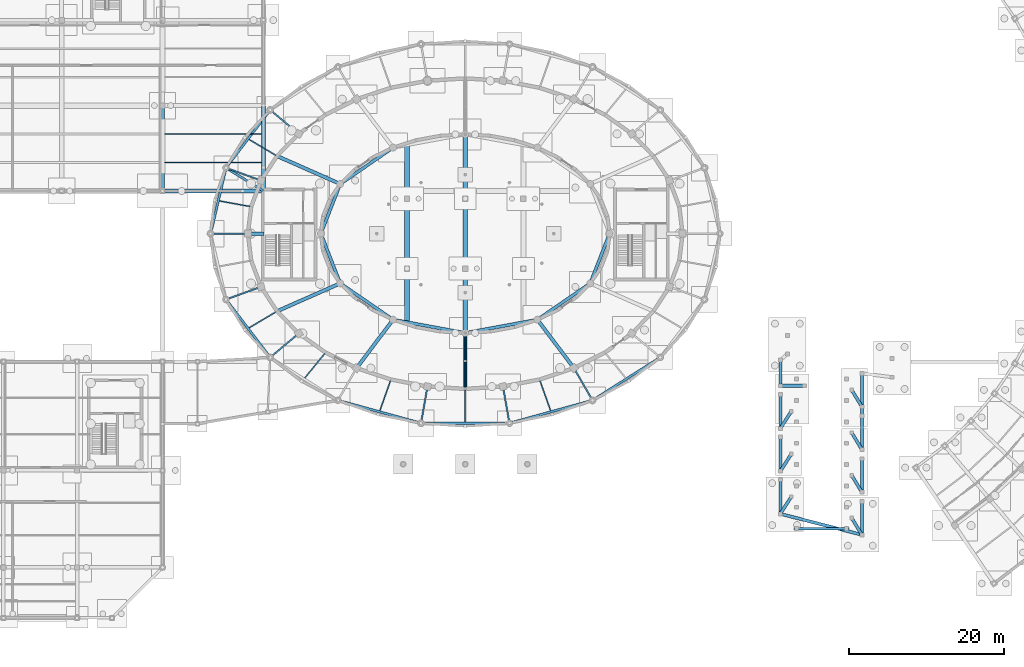
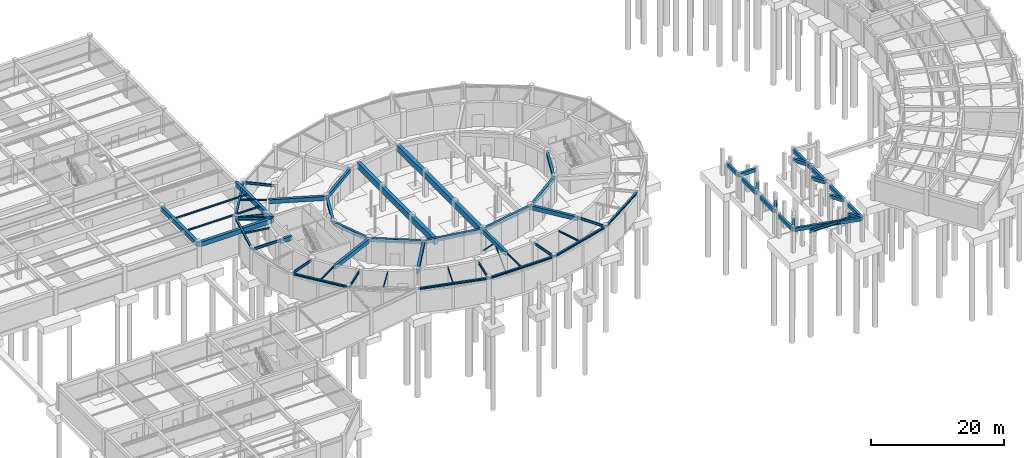
# One storey, part 13 of 42: 63 beams, 2 members.
"""IFC4 building model written with IfcOpenShell, lengths in metres."""

from ifc_helpers import new_model, si_unit, direction, frame, origin, origin_2d, place, context, subcontext, project, spatial, rectangle, hollow_circle, i_section, extrude, material, material_profile, profile_set, type_object, element, save


model = new_model("IFC4")

# Units and contexts
model_context = context("Model", 3, precision=1e-05, world=origin(), true_north=direction((0.0, 1.0)))
body_context = subcontext(model_context, "Body", "Model", "MODEL_VIEW")
ifc_project = project(units=[si_unit("LENGTHUNIT", "METRE"), si_unit("AREAUNIT", "SQUARE_METRE"), si_unit("VOLUMEUNIT", "CUBIC_METRE"), si_unit("PLANEANGLEUNIT", "RADIAN"), si_unit("MASSUNIT", "GRAM", prefix="KILO")], contexts=[model_context])

# Site, building, storey
site_placement = place(None, origin())
site = spatial("IfcSite", under=ifc_project, at=site_placement, CompositionType="ELEMENT")
building_placement = place(site_placement, origin())
building = spatial("IfcBuilding", under=site, at=building_placement, Name="Tarnveldt Headland Concert Hall", CompositionType="ELEMENT")
storey_placement = place(building_placement, frame((0.0, 0.0, -4.800048828125)))
storey = spatial("IfcBuildingStorey", under=building, at=storey_placement, Name="B1", CompositionType="ELEMENT", Elevation=-4.800048828125)

# Members
ifc_material_1 = material(Name="Steel S355", Category="steel")
ifc_material_profile_1 = material_profile(ifc_material_1, hollow_circle(Radius=0.109619140625, WallThickness=0.012451171875, at=origin_2d()), Name="CHS 219.1x12.5", Category="steel")
ifc_profile_set_1 = profile_set([ifc_material_profile_1], Name="Steel S355")
member_type = type_object("IfcMemberType", Name="BR-CHS219", PredefinedType="BRACE", material=ifc_profile_set_1)
member_1_placement = place(storey_placement, frame((83.5, 41.699951171875, 0.300048828125), z_axis=(0.0, -0.702208523079, 0.711971340796), x_axis=(1.0, 0.0, 0.0)))
element("IfcMember", 1, at=member_1_placement, inside=storey, type_object=member_type, Name="Acoustic drum chevron brace B1-6A", PredefinedType="BRACE", context=body_context, shape_type="SweptSolid", body=[
    extrude(hollow_circle(Radius=0.109619140625, WallThickness=0.012451171875, at=origin_2d()), origin(), (0.0, 0.0, 1.0), 5.12646484375),
])
member_2_placement = place(storey_placement, frame((83.5, 34.5, 0.300048828125), z_axis=(0.0, 0.702232662373, 0.711947531702), x_axis=(-1.0, 0.0, 0.0)))
element("IfcMember", 2, at=member_2_placement, inside=storey, type_object=member_type, Name="Acoustic drum chevron brace B1-6B", PredefinedType="BRACE", context=body_context, shape_type="SweptSolid", body=[
    extrude(hollow_circle(Radius=0.109619140625, WallThickness=0.012451171875, at=origin_2d()), origin(), (0.0, 0.0, 1.0), 5.126708984375),
])

# Beams
ifc_material_2 = material(Name="Concrete C40/50", Category="concrete")
ifc_material_profile_2 = material_profile(ifc_material_2, rectangle(XDim=0.39990234375, YDim=0.64990234375, at=origin_2d()), Name="RC 400x650", Category="concrete")
ifc_profile_set_2 = profile_set([ifc_material_profile_2], Name="Concrete C40/50")
beam_type_1 = type_object("IfcBeamType", Name="CB-400x650", PredefinedType="BEAM", material=ifc_profile_set_2)
beam_1_placement = place(storey_placement, frame((74.150634765625, 65.551025390625, 4.175048828125), z_axis=(-0.823792567818, -0.566891352207, 0.0), x_axis=(0.566891352207, -0.823792567818, 0.0)))
element("IfcBeam", 3, at=beam_1_placement, inside=storey, type_object=beam_type_1, Name="Framing beam B1-64", PredefinedType="BEAM", context=body_context, shape_type="SweptSolid", body=[
    extrude(rectangle(XDim=0.39990234375, YDim=0.64990234375, at=origin_2d()), origin(), (0.0, 0.0, 1.0), 8.144287109375),
])
for number, where, z_axis, x_axis, name in (
    (4, (67.3701171875, 60.843994140625, 4.175048828125), (-0.362816377746, -0.931860652694, 0.0), (0.931860652694, -0.362816377746, 0.0), "Framing beam B1-66"),
    (5, (64.921875, 54.444091796875, 4.175048828125), (0.362816377746, -0.931860652694, 0.0), (0.931860652694, 0.362816377746, 0.0), "Framing beam B1-68"),
):
    element("IfcBeam", number, at=place(storey_placement, frame(where, z_axis=z_axis, x_axis=x_axis)), inside=storey, type_object=beam_type_1, Name=name, PredefinedType="BEAM", context=body_context, shape_type="SweptSolid", body=[
        extrude(rectangle(XDim=0.39990234375, YDim=0.64990234375, at=origin_2d()), origin(), (0.0, 0.0, 1.0), 6.747802734375),
    ])
beam_2_placement = place(storey_placement, frame((67.44140625, 48.06591796875, 4.175048828125), z_axis=(0.823792567818, -0.566891352207, 0.0), x_axis=(0.566891352207, 0.823792567818, 0.0)))
element("IfcBeam", 6, at=beam_2_placement, inside=storey, type_object=beam_type_1, Name="Framing beam B1-70", PredefinedType="BEAM", context=body_context, shape_type="SweptSolid", body=[
    extrude(rectangle(XDim=0.39990234375, YDim=0.64990234375, at=origin_2d()), origin(), (0.0, 0.0, 1.0), 8.144287109375),
])
for number, where, z_axis, x_axis, name in (
    (7, (74.259033203125, 43.404052734375, 4.175048828125), (0.983420438696, -0.181340124501, 0.0), (0.181340124501, 0.983420438696, 0.0), "Framing beam B1-72"),
    (8, (83.55908203125, 41.7109375, 4.175048828125), (0.983420438696, 0.181340124501, 0.0), (-0.181340124501, 0.983420438696, 0.0), "Framing beam B1-74"),
):
    element("IfcBeam", number, at=place(storey_placement, frame(where, z_axis=z_axis, x_axis=x_axis)), inside=storey, type_object=beam_type_1, Name=name, PredefinedType="BEAM", context=body_context, shape_type="SweptSolid", body=[
        extrude(rectangle(XDim=0.39990234375, YDim=0.64990234375, at=origin_2d()), origin(), (0.0, 0.0, 1.0), 9.336669921875),
    ])
beam_3_placement = place(storey_placement, frame((92.849365234375, 43.448974609375, 4.175048828125), z_axis=(0.823792567818, 0.566891352207, 0.0), x_axis=(-0.566891352207, 0.823792567818, 0.0)))
element("IfcBeam", 9, at=beam_3_placement, inside=storey, type_object=beam_type_1, Name="Framing beam B1-76", PredefinedType="BEAM", context=body_context, shape_type="SweptSolid", body=[
    extrude(rectangle(XDim=0.39990234375, YDim=0.64990234375, at=origin_2d()), origin(), (0.0, 0.0, 1.0), 8.144287109375),
])
beam_4_placement = place(storey_placement, frame((99.6298828125, 48.156005859375, 4.175048828125), z_axis=(0.362816377746, 0.931860652694, 0.0), x_axis=(-0.931860652694, 0.362816377746, 0.0)))
element("IfcBeam", 10, at=beam_4_placement, inside=storey, type_object=beam_type_1, Name="Framing beam B1-78", PredefinedType="BEAM", context=body_context, shape_type="SweptSolid", body=[
    extrude(rectangle(XDim=0.39990234375, YDim=0.64990234375, at=origin_2d()), origin(), (0.0, 0.0, 1.0), 6.747802734375),
])
for number, where, z_axis, x_axis, name in (
    (11, (124.10009765625, 18.43994140625, 4.175048828125), (0.0, 1.0, 0.0), (-1.0, 0.0, 0.0), "Framing beam B1-1428"),
    (12, (124.10009765625, 23.93994140625, 4.175048828125), (0.0, 1.0, 0.0), (-1.0, 0.0, 0.0), "Framing beam B1-1429"),
    (13, (124.10009765625, 29.43994140625, 4.175048828125), (0.0, 1.0, 0.0), (-1.0, 0.0, 0.0), "Framing beam B1-1430"),
):
    element("IfcBeam", number, at=place(storey_placement, frame(where, z_axis=z_axis, x_axis=x_axis)), inside=storey, type_object=beam_type_1, Name=name, PredefinedType="BEAM", context=body_context, shape_type="SweptSolid", body=[
        extrude(rectangle(XDim=0.39990234375, YDim=0.64990234375, at=origin_2d()), origin(), (0.0, 0.0, 1.0), 4.320068359375),
    ])
beam_5_placement = place(storey_placement, frame((124.10009765625, 34.93994140625, 4.175048828125), z_axis=(0.0, 1.0, 0.0), x_axis=(-1.0, 0.0, 0.0)))
element("IfcBeam", 14, at=beam_5_placement, inside=storey, type_object=beam_type_1, Name="Framing beam B1-1431", PredefinedType="BEAM", context=body_context, shape_type="SweptSolid", body=[
    extrude(rectangle(XDim=0.39990234375, YDim=0.64990234375, at=origin_2d()), origin(), (0.0, 0.0, 1.0), 3.219970703125),
])
for number, where, z_axis, x_axis, name in (
    (15, (134.60009765625, 15.739990234375, 4.175048828125), (0.0, 1.0, 0.0), (-1.0, 0.0, 0.0), "Framing beam B1-1433"),
    (16, (134.60009765625, 21.239990234375, 4.175048828125), (0.0, 1.0, 0.0), (-1.0, 0.0, 0.0), "Framing beam B1-1434"),
    (17, (134.60009765625, 26.739990234375, 4.175048828125), (0.0, 1.0, 0.0), (-1.0, 0.0, 0.0), "Framing beam B1-1435"),
):
    element("IfcBeam", number, at=place(storey_placement, frame(where, z_axis=z_axis, x_axis=x_axis)), inside=storey, type_object=beam_type_1, Name=name, PredefinedType="BEAM", context=body_context, shape_type="SweptSolid", body=[
        extrude(rectangle(XDim=0.39990234375, YDim=0.64990234375, at=origin_2d()), origin(), (0.0, 0.0, 1.0), 4.219970703125),
    ])
beam_6_placement = place(storey_placement, frame((134.60009765625, 31.0400390625, 4.175048828125), z_axis=(0.0, 1.0, 0.0), x_axis=(-1.0, 0.0, 0.0)))
element("IfcBeam", 18, at=beam_6_placement, inside=storey, type_object=beam_type_1, Name="Framing beam B1-1436", PredefinedType="BEAM", context=body_context, shape_type="SweptSolid", body=[
    extrude(rectangle(XDim=0.39990234375, YDim=0.64990234375, at=origin_2d()), origin(), (0.0, 0.0, 1.0), 1.119873046875),
])
beam_7_placement = place(storey_placement, frame((134.60009765625, 32.239990234375, 4.175048828125), z_axis=(0.0, 1.0, 0.0), x_axis=(-1.0, 0.0, 0.0)))
element("IfcBeam", 19, at=beam_7_placement, inside=storey, type_object=beam_type_1, Name="Framing beam B1-1437", PredefinedType="BEAM", context=body_context, shape_type="SweptSolid", body=[
    extrude(rectangle(XDim=0.39990234375, YDim=0.64990234375, at=origin_2d()), origin(), (0.0, 0.0, 1.0), 4.219970703125),
])
beam_8_placement = place(storey_placement, frame((134.579345703125, 15.734130859375, 4.175048828125), z_axis=(-0.517356100723, 0.855770217433, 0.0), x_axis=(-0.855770217433, -0.517356100723, 0.0)))
element("IfcBeam", 20, at=beam_8_placement, inside=storey, type_object=beam_type_1, Name="Framing beam B1-1439", PredefinedType="BEAM", context=body_context, shape_type="SweptSolid", body=[
    extrude(rectangle(XDim=0.39990234375, YDim=0.64990234375, at=origin_2d()), origin(), (0.0, 0.0, 1.0), 2.4326171875),
])
beam_9_placement = place(storey_placement, frame((124.12158203125, 18.43359375, 4.175048828125), z_axis=(0.536787999782, 0.843717158348, 0.0), x_axis=(-0.843717158348, 0.536787999782, 0.0)))
element("IfcBeam", 21, at=beam_9_placement, inside=storey, type_object=beam_type_1, Name="Framing beam B1-1440", PredefinedType="BEAM", context=body_context, shape_type="SweptSolid", body=[
    extrude(rectangle(XDim=0.39990234375, YDim=0.64990234375, at=origin_2d()), origin(), (0.0, 0.0, 1.0), 2.52783203125),
])
beam_10_placement = place(storey_placement, frame((134.579345703125, 21.234130859375, 4.175048828125), z_axis=(-0.517356100723, 0.855770217433, 0.0), x_axis=(-0.855770217433, -0.517356100723, 0.0)))
element("IfcBeam", 22, at=beam_10_placement, inside=storey, type_object=beam_type_1, Name="Framing beam B1-1441", PredefinedType="BEAM", context=body_context, shape_type="SweptSolid", body=[
    extrude(rectangle(XDim=0.39990234375, YDim=0.64990234375, at=origin_2d()), origin(), (0.0, 0.0, 1.0), 2.4326171875),
])
beam_11_placement = place(storey_placement, frame((124.12158203125, 23.93359375, 4.175048828125), z_axis=(0.536787999782, 0.843717158348, 0.0), x_axis=(-0.843717158348, 0.536787999782, 0.0)))
element("IfcBeam", 23, at=beam_11_placement, inside=storey, type_object=beam_type_1, Name="Framing beam B1-1442", PredefinedType="BEAM", context=body_context, shape_type="SweptSolid", body=[
    extrude(rectangle(XDim=0.39990234375, YDim=0.64990234375, at=origin_2d()), origin(), (0.0, 0.0, 1.0), 2.52783203125),
])
beam_12_placement = place(storey_placement, frame((134.579345703125, 26.734130859375, 4.175048828125), z_axis=(-0.517356100723, 0.855770217433, 0.0), x_axis=(-0.855770217433, -0.517356100723, 0.0)))
element("IfcBeam", 24, at=beam_12_placement, inside=storey, type_object=beam_type_1, Name="Framing beam B1-1443", PredefinedType="BEAM", context=body_context, shape_type="SweptSolid", body=[
    extrude(rectangle(XDim=0.39990234375, YDim=0.64990234375, at=origin_2d()), origin(), (0.0, 0.0, 1.0), 2.4326171875),
])
beam_13_placement = place(storey_placement, frame((124.12158203125, 29.43359375, 4.175048828125), z_axis=(0.536787999782, 0.843717158348, 0.0), x_axis=(-0.843717158348, 0.536787999782, 0.0)))
element("IfcBeam", 25, at=beam_13_placement, inside=storey, type_object=beam_type_1, Name="Framing beam B1-1444", PredefinedType="BEAM", context=body_context, shape_type="SweptSolid", body=[
    extrude(rectangle(XDim=0.39990234375, YDim=0.64990234375, at=origin_2d()), origin(), (0.0, 0.0, 1.0), 2.52783203125),
])
beam_14_placement = place(storey_placement, frame((134.579345703125, 32.234130859375, 4.175048828125), z_axis=(-0.517356100723, 0.855770217433, 0.0), x_axis=(-0.855770217433, -0.517356100723, 0.0)))
element("IfcBeam", 26, at=beam_14_placement, inside=storey, type_object=beam_type_1, Name="Framing beam B1-1445", PredefinedType="BEAM", context=body_context, shape_type="SweptSolid", body=[
    extrude(rectangle(XDim=0.39990234375, YDim=0.64990234375, at=origin_2d()), origin(), (0.0, 0.0, 1.0), 2.4326171875),
])
beam_15_placement = place(storey_placement, frame((124.139892578125, 34.89990234375, 4.175048828125), z_axis=(1.0, 0.0, 0.0), x_axis=(0.0, 1.0, 0.0)))
element("IfcBeam", 27, at=beam_15_placement, inside=storey, type_object=beam_type_1, Name="Framing beam B1-1446", PredefinedType="BEAM", context=body_context, shape_type="SweptSolid", body=[
    extrude(rectangle(XDim=0.39990234375, YDim=0.64990234375, at=origin_2d()), origin(), (0.0, 0.0, 1.0), 3.02001953125),
])
beam_16_placement = place(storey_placement, frame((124.138671875, 18.389892578125, 4.175048828125), z_axis=(0.968496684569, -0.24902644835, 0.0), x_axis=(0.24902644835, 0.968496684569, 0.0)))
element("IfcBeam", 28, at=beam_16_placement, inside=storey, type_object=beam_type_1, Name="Framing beam B1-1447", PredefinedType="BEAM", context=body_context, shape_type="SweptSolid", body=[
    extrude(rectangle(XDim=0.39990234375, YDim=0.64990234375, at=origin_2d()), origin(), (0.0, 0.0, 1.0), 10.76171875),
])
ifc_material_profile_3 = material_profile(ifc_material_2, rectangle(XDim=0.449951171875, YDim=0.75, at=origin_2d()), Name="RC 450x750", Category="concrete")
ifc_profile_set_3 = profile_set([ifc_material_profile_3], Name="Concrete C40/50")
beam_type_2 = type_object("IfcBeamType", Name="CB-450x750", PredefinedType="BEAM", material=ifc_profile_set_3)
beam_17_placement = place(storey_placement, frame((67.355224609375, 60.916259765625, 4.125), z_axis=(-0.91456211397, 0.404445471839, 0.0), x_axis=(-0.404445471839, -0.91456211397, 0.0)))
element("IfcBeam", 29, at=beam_17_placement, inside=storey, type_object=beam_type_2, Name="Framing beam B1-65", PredefinedType="BEAM", context=body_context, shape_type="SweptSolid", body=[
    extrude(rectangle(XDim=0.449951171875, YDim=0.75, at=origin_2d()), origin(), (0.0, 0.0, 1.0), 8.821044921875),
])
beam_18_placement = place(storey_placement, frame((57.580078125, 54.5, 4.125), z_axis=(-1.0, 0.0, 0.0), x_axis=(0.0, -1.0, 0.0)))
element("IfcBeam", 30, at=beam_18_placement, inside=storey, type_object=beam_type_2, Name="Framing beam B1-67", PredefinedType="BEAM", context=body_context, shape_type="SweptSolid", body=[
    extrude(rectangle(XDim=0.449951171875, YDim=0.75, at=origin_2d()), origin(), (0.0, 0.0, 1.0), 2.0400390625),
])
beam_19_placement = place(storey_placement, frame((67.355224609375, 48.083740234375, 4.125), z_axis=(-0.91456211397, -0.404445471839, 0.0), x_axis=(0.404445471839, -0.91456211397, 0.0)))
element("IfcBeam", 31, at=beam_19_placement, inside=storey, type_object=beam_type_2, Name="Framing beam B1-69", PredefinedType="BEAM", context=body_context, shape_type="SweptSolid", body=[
    extrude(rectangle(XDim=0.449951171875, YDim=0.75, at=origin_2d()), origin(), (0.0, 0.0, 1.0), 8.821044921875),
])
beam_20_placement = place(storey_placement, frame((74.17578125, 43.383056640625, 4.125), z_axis=(-0.601893745781, -0.798576182208, 0.0), x_axis=(0.798576182208, -0.601893745781, 0.0)))
element("IfcBeam", 32, at=beam_20_placement, inside=storey, type_object=beam_type_2, Name="Framing beam B1-71", PredefinedType="BEAM", context=body_context, shape_type="SweptSolid", body=[
    extrude(rectangle(XDim=0.449951171875, YDim=0.75, at=origin_2d()), origin(), (0.0, 0.0, 1.0), 7.728271484375),
])
beam_21_placement = place(storey_placement, frame((83.5, 41.659912109375, 4.125), z_axis=(0.0, -1.0, 0.0), x_axis=(1.0, 0.0, 0.0)))
element("IfcBeam", 33, at=beam_21_placement, inside=storey, type_object=beam_type_2, Name="Framing beam B1-73", PredefinedType="BEAM", context=body_context, shape_type="SweptSolid", body=[
    extrude(rectangle(XDim=0.449951171875, YDim=0.75, at=origin_2d()), origin(), (0.0, 0.0, 1.0), 7.119873046875),
])
beam_22_placement = place(storey_placement, frame((92.82421875, 43.383056640625, 4.125), z_axis=(0.601893745781, -0.798576182208, 0.0), x_axis=(0.798576182208, 0.601893745781, 0.0)))
element("IfcBeam", 34, at=beam_22_placement, inside=storey, type_object=beam_type_2, Name="Framing beam B1-75", PredefinedType="BEAM", context=body_context, shape_type="SweptSolid", body=[
    extrude(rectangle(XDim=0.449951171875, YDim=0.75, at=origin_2d()), origin(), (0.0, 0.0, 1.0), 7.728271484375),
])
ifc_material_profile_4 = material_profile(ifc_material_2, rectangle(XDim=0.5, YDim=0.85009765625, at=origin_2d()), Name="RC 500x850", Category="concrete")
ifc_profile_set_4 = profile_set([ifc_material_profile_4], Name="Concrete C40/50")
beam_type_3 = type_object("IfcBeamType", Name="CB-500x850", PredefinedType="BEAM", material=ifc_profile_set_4)
beam_23_placement = place(storey_placement, frame((44.56005859375, 60.0, 4.074951171875), z_axis=(1.0, 0.0, 0.0), x_axis=(0.0, 1.0, 0.0)))
element("IfcBeam", 35, at=beam_23_placement, inside=storey, type_object=beam_type_3, Name="Framing beam B1-272", PredefinedType="BEAM", context=body_context, shape_type="SweptSolid", body=[
    extrude(rectangle(XDim=0.5, YDim=0.85009765625, at=origin_2d()), origin(), (0.0, 0.0, 1.0), 12.8798828125),
])
for number, where, z_axis, x_axis, name in (
    (36, (44.5, 60.06005859375, 4.074951171875), (0.0, 1.0, 0.0), (-1.0, 0.0, 0.0), "Framing beam B1-326"),
    (37, (57.5, 60.06005859375, 4.074951171875), (0.0, 1.0, 0.0), (-1.0, 0.0, 0.0), "Framing beam B1-341"),
):
    element("IfcBeam", number, at=place(storey_placement, frame(where, z_axis=z_axis, x_axis=x_axis)), inside=storey, type_object=beam_type_3, Name=name, PredefinedType="BEAM", context=body_context, shape_type="SweptSolid", body=[
        extrude(rectangle(XDim=0.5, YDim=0.85009765625, at=origin_2d()), origin(), (0.0, 0.0, 1.0), 10.8798828125),
    ])
ifc_material_profile_5 = material_profile(ifc_material_2, rectangle(XDim=0.60009765625, YDim=1.10009765625, at=origin_2d()), Name="RC 600x1100", Category="concrete")
ifc_profile_set_5 = profile_set([ifc_material_profile_5], Name="Concrete C40/50")
beam_type_4 = type_object("IfcBeamType", Name="CB-600x1100", PredefinedType="BEAM", material=ifc_profile_set_5)
beam_24_placement = place(storey_placement, frame((76.0, 42.806640625, 3.949951171875), z_axis=(0.0, 1.0, 0.0), x_axis=(-1.0, 0.0, 0.0)))
element("IfcBeam", 38, at=beam_24_placement, inside=storey, type_object=beam_type_4, Name="Framing beam B1-79", PredefinedType="BEAM", context=body_context, shape_type="SweptSolid", body=[
    extrude(rectangle(XDim=0.60009765625, YDim=1.10009765625, at=origin_2d()), origin(), (0.0, 0.0, 1.0), 23.38671875),
])
beam_25_placement = place(storey_placement, frame((83.5, 41.719970703125, 3.949951171875), z_axis=(0.0, 1.0, 0.0), x_axis=(-1.0, 0.0, 0.0)))
element("IfcBeam", 39, at=beam_25_placement, inside=storey, type_object=beam_type_4, Name="Framing beam B1-80", PredefinedType="BEAM", context=body_context, shape_type="SweptSolid", body=[
    extrude(rectangle(XDim=0.60009765625, YDim=1.10009765625, at=origin_2d()), origin(), (0.0, 0.0, 1.0), 25.56005859375),
])
ifc_material_profile_6 = material_profile(ifc_material_1, i_section(OverallWidth=0.300048828125, OverallDepth=0.35009765625, WebThickness=0.010009765625, FlangeThickness=0.017578125, FilletRadius=0.027099609375, at=origin_2d()), Name="HEA360", Category="steel")
ifc_profile_set_6 = profile_set([ifc_material_profile_6], Name="Steel S355")
beam_type_5 = type_object("IfcBeamType", Name="SB-HEA360", PredefinedType="SPANDREL", material=ifc_profile_set_6)
beam_26_placement = place(storey_placement, frame((58.33740234375, 70.393310546875, 4.324951171875), z_axis=(-0.606896353007, -0.794780986629, 0.0), x_axis=(0.794780986629, -0.606896353007, 0.0)))
element("IfcBeam", 40, at=beam_26_placement, inside=storey, type_object=beam_type_5, Name="Framing beam B1-22", PredefinedType="SPANDREL", context=body_context, shape_type="SweptSolid", body=[
    extrude(i_section(OverallWidth=0.300048828125, OverallDepth=0.35009765625, WebThickness=0.010009765625, FlangeThickness=0.017578125, FilletRadius=0.027099609375, at=origin_2d()), origin(), (0.0, 0.0, 1.0), 9.264892578125),
])
beam_27_placement = place(storey_placement, frame((52.66455078125, 62.923583984375, 4.324951171875), z_axis=(-0.227123591729, -0.973865942561, 0.0), x_axis=(0.973865942561, -0.227123591729, 0.0)))
element("IfcBeam", 41, at=beam_27_placement, inside=storey, type_object=beam_type_5, Name="Framing beam B1-25", PredefinedType="SPANDREL", context=body_context, shape_type="SweptSolid", body=[
    extrude(i_section(OverallWidth=0.300048828125, OverallDepth=0.35009765625, WebThickness=0.010009765625, FlangeThickness=0.017578125, FilletRadius=0.027099609375, at=origin_2d()), origin(), (0.0, 0.0, 1.0), 8.589599609375),
])
beam_28_placement = place(storey_placement, frame((52.714599609375, 45.97021484375, 4.324951171875), z_axis=(0.606896353007, -0.794780986629, 0.0), x_axis=(0.794780986629, 0.606896353007, 0.0)))
element("IfcBeam", 42, at=beam_28_placement, inside=storey, type_object=beam_type_5, Name="Framing beam B1-31", PredefinedType="SPANDREL", context=body_context, shape_type="SweptSolid", body=[
    extrude(i_section(OverallWidth=0.300048828125, OverallDepth=0.35009765625, WebThickness=0.010009765625, FlangeThickness=0.017578125, FilletRadius=0.027099609375, at=origin_2d()), origin(), (0.0, 0.0, 1.0), 9.264892578125),
])
beam_29_placement = place(storey_placement, frame((67.15771484375, 33.006591796875, 4.324951171875), z_axis=(0.964161617091, -0.265315616065, 0.0), x_axis=(0.265315616065, 0.964161617091, 0.0)))
element("IfcBeam", 43, at=beam_29_placement, inside=storey, type_object=beam_type_5, Name="Framing beam B1-37", PredefinedType="SPANDREL", context=body_context, shape_type="SweptSolid", body=[
    extrude(i_section(OverallWidth=0.300048828125, OverallDepth=0.35009765625, WebThickness=0.010009765625, FlangeThickness=0.017578125, FilletRadius=0.027099609375, at=origin_2d()), origin(), (0.0, 0.0, 1.0), 10.982421875),
])
beam_30_placement = place(storey_placement, frame((77.8642578125, 30.076904296875, 4.324951171875), z_axis=(1.0, 0.0, 0.0), x_axis=(0.0, 1.0, 0.0)))
element("IfcBeam", 44, at=beam_30_placement, inside=storey, type_object=beam_type_5, Name="Framing beam B1-40", PredefinedType="SPANDREL", context=body_context, shape_type="SweptSolid", body=[
    extrude(i_section(OverallWidth=0.300048828125, OverallDepth=0.35009765625, WebThickness=0.010009765625, FlangeThickness=0.017578125, FilletRadius=0.027099609375, at=origin_2d()), origin(), (0.0, 0.0, 1.0), 11.271484375),
])
beam_31_placement = place(storey_placement, frame((89.25341796875, 30.0927734375, 4.324951171875), z_axis=(0.964161617091, 0.265315616065, 0.0), x_axis=(-0.265315616065, 0.964161617091, 0.0)))
element("IfcBeam", 45, at=beam_31_placement, inside=storey, type_object=beam_type_5, Name="Framing beam B1-43", PredefinedType="SPANDREL", context=body_context, shape_type="SweptSolid", body=[
    extrude(i_section(OverallWidth=0.300048828125, OverallDepth=0.35009765625, WebThickness=0.010009765625, FlangeThickness=0.017578125, FilletRadius=0.027099609375, at=origin_2d()), origin(), (0.0, 0.0, 1.0), 10.982421875),
])
beam_32_placement = place(storey_placement, frame((99.95068359375, 33.0546875, 4.324951171875), z_axis=(0.844390967344, 0.535727444012, 0.0), x_axis=(-0.535727444012, 0.844390967344, 0.0)))
element("IfcBeam", 46, at=beam_32_placement, inside=storey, type_object=beam_type_5, Name="Framing beam B1-46", PredefinedType="SPANDREL", context=body_context, shape_type="SweptSolid", body=[
    extrude(i_section(OverallWidth=0.300048828125, OverallDepth=0.35009765625, WebThickness=0.010009765625, FlangeThickness=0.017578125, FilletRadius=0.027099609375, at=origin_2d()), origin(), (0.0, 0.0, 1.0), 10.21435546875),
])
ifc_material_profile_7 = material_profile(ifc_material_1, i_section(OverallWidth=0.300048828125, OverallDepth=0.550048828125, WebThickness=0.014892578125, FlangeThickness=0.029052734375, FilletRadius=0.027099609375, at=origin_2d()), Name="HEB550", Category="steel")
ifc_profile_set_7 = profile_set([ifc_material_profile_7], Name="Steel S355")
beam_type_6 = type_object("IfcBeamType", Name="SB-HEB550", PredefinedType="BEAM", material=ifc_profile_set_7)
beam_33_placement = place(storey_placement, frame((125.85009765625, 16.5, 4.375), z_axis=(1.0, 0.0, 0.0), x_axis=(0.0, 1.0, 0.0)))
element("IfcBeam", 47, at=beam_33_placement, inside=storey, type_object=beam_type_6, Name="Ramp flight 1 base carrier beam", PredefinedType="BEAM", context=body_context, shape_type="SweptSolid", body=[
    extrude(i_section(OverallWidth=0.300048828125, OverallDepth=0.550048828125, WebThickness=0.014892578125, FlangeThickness=0.029052734375, FilletRadius=0.027099609375, at=origin_2d()), origin(), (0.0, 0.0, 1.0), 7.099853515625),
])
beam_34_placement = place(storey_placement, frame((57.448974609375, 60.031494140625, 4.22509765625), z_axis=(-0.850502257935, 0.525971395845, 0.0), x_axis=(-0.525971395845, -0.850502257935, 0.0)))
element("IfcBeam", 48, at=beam_34_placement, inside=storey, type_object=beam_type_6, Name="Framing beam B1-346", PredefinedType="BEAM", context=body_context, shape_type="SweptSolid", body=[
    extrude(i_section(OverallWidth=0.300048828125, OverallDepth=0.550048828125, WebThickness=0.014892578125, FlangeThickness=0.029052734375, FilletRadius=0.027099609375, at=origin_2d()), origin(), (0.0, 0.0, 1.0), 5.549560546875),
])
ifc_material_profile_8 = material_profile(ifc_material_1, i_section(OverallWidth=0.14990234375, OverallDepth=0.300048828125, WebThickness=0.007080078125, FlangeThickness=0.0107421875, FilletRadius=0.014892578125, at=origin_2d()), Name="IPE300", Category="steel")
ifc_profile_set_8 = profile_set([ifc_material_profile_8], Name="Steel S355")
beam_type_7 = type_object("IfcBeamType", Name="SB-IPE300", PredefinedType="JOIST", material=ifc_profile_set_8)
beam_35_placement = place(storey_placement, frame((59.100830078125, 64.58935546875, 4.35009765625), z_axis=(-0.859902377377, 0.510458520726, 0.0), x_axis=(-0.510458520726, -0.859902377377, 0.0)))
element("IfcBeam", 49, at=beam_35_placement, inside=storey, type_object=beam_type_7, Name="Framing beam B1-24", PredefinedType="JOIST", context=body_context, shape_type="SweptSolid", body=[
    extrude(i_section(OverallWidth=0.14990234375, OverallDepth=0.300048828125, WebThickness=0.007080078125, FlangeThickness=0.0107421875, FilletRadius=0.014892578125, at=origin_2d()), origin(), (0.0, 0.0, 1.0), 4.007568359375),
])
beam_36_placement = place(storey_placement, frame((55.753173828125, 58.004150390625, 4.35009765625), z_axis=(-0.983953220183, 0.178426624954, 0.0), x_axis=(-0.178426624954, -0.983953220183, 0.0)))
element("IfcBeam", 50, at=beam_36_placement, inside=storey, type_object=beam_type_7, Name="Framing beam B1-27", PredefinedType="JOIST", context=body_context, shape_type="SweptSolid", body=[
    extrude(i_section(OverallWidth=0.14990234375, OverallDepth=0.300048828125, WebThickness=0.007080078125, FlangeThickness=0.0107421875, FilletRadius=0.014892578125, at=origin_2d()), origin(), (0.0, 0.0, 1.0), 3.98046875),
])
beam_37_placement = place(storey_placement, frame((59.100830078125, 44.41064453125, 4.35009765625), z_axis=(-0.859902377377, -0.510458520726, 0.0), x_axis=(0.510458520726, -0.859902377377, 0.0)))
element("IfcBeam", 51, at=beam_37_placement, inside=storey, type_object=beam_type_7, Name="Framing beam B1-33", PredefinedType="JOIST", context=body_context, shape_type="SweptSolid", body=[
    extrude(i_section(OverallWidth=0.14990234375, OverallDepth=0.300048828125, WebThickness=0.007080078125, FlangeThickness=0.0107421875, FilletRadius=0.014892578125, at=origin_2d()), origin(), (0.0, 0.0, 1.0), 4.007568359375),
])
beam_38_placement = place(storey_placement, frame((65.391357421875, 39.04345703125, 4.35009765625), z_axis=(-0.632291553532, -0.774730528205, 0.0), x_axis=(0.774730528205, -0.632291553532, 0.0)))
element("IfcBeam", 52, at=beam_38_placement, inside=storey, type_object=beam_type_7, Name="Framing beam B1-36", PredefinedType="JOIST", context=body_context, shape_type="SweptSolid", body=[
    extrude(i_section(OverallWidth=0.14990234375, OverallDepth=0.300048828125, WebThickness=0.007080078125, FlangeThickness=0.0107421875, FilletRadius=0.014892578125, at=origin_2d()), origin(), (0.0, 0.0, 1.0), 4.048583984375),
])
beam_39_placement = place(storey_placement, frame((73.864990234375, 35.541015625, 4.35009765625), z_axis=(-0.33369553072, -0.942680907188, 0.0), x_axis=(0.942680907188, -0.33369553072, 0.0)))
element("IfcBeam", 53, at=beam_39_placement, inside=storey, type_object=beam_type_7, Name="Framing beam B1-39", PredefinedType="JOIST", context=body_context, shape_type="SweptSolid", body=[
    extrude(i_section(OverallWidth=0.14990234375, OverallDepth=0.300048828125, WebThickness=0.007080078125, FlangeThickness=0.0107421875, FilletRadius=0.014892578125, at=origin_2d()), origin(), (0.0, 0.0, 1.0), 4.083984375),
])
beam_40_placement = place(storey_placement, frame((83.5, 34.324951171875, 4.35009765625), z_axis=(0.0, -1.0, 0.0), x_axis=(1.0, 0.0, 0.0)))
element("IfcBeam", 54, at=beam_40_placement, inside=storey, type_object=beam_type_7, Name="Framing beam B1-42", PredefinedType="JOIST", context=body_context, shape_type="SweptSolid", body=[
    extrude(i_section(OverallWidth=0.14990234375, OverallDepth=0.300048828125, WebThickness=0.007080078125, FlangeThickness=0.0107421875, FilletRadius=0.014892578125, at=origin_2d()), origin(), (0.0, 0.0, 1.0), 4.09814453125),
])
beam_41_placement = place(storey_placement, frame((93.135009765625, 35.541015625, 4.35009765625), z_axis=(0.33369553072, -0.942680907188, 0.0), x_axis=(0.942680907188, 0.33369553072, 0.0)))
element("IfcBeam", 55, at=beam_41_placement, inside=storey, type_object=beam_type_7, Name="Framing beam B1-45", PredefinedType="JOIST", context=body_context, shape_type="SweptSolid", body=[
    extrude(i_section(OverallWidth=0.14990234375, OverallDepth=0.300048828125, WebThickness=0.007080078125, FlangeThickness=0.0107421875, FilletRadius=0.014892578125, at=origin_2d()), origin(), (0.0, 0.0, 1.0), 4.083984375),
])
for number, where, z_axis, x_axis, name in (
    (56, (44.75, 63.6669921875, 4.35009765625), (1.0, 0.0, 0.0), (0.0, 1.0, 0.0), "Framing beam B1-327"),
    (57, (44.75, 67.3330078125, 4.35009765625), (1.0, 0.0, 0.0), (0.0, 1.0, 0.0), "Framing beam B1-328"),
):
    element("IfcBeam", number, at=place(storey_placement, frame(where, z_axis=z_axis, x_axis=x_axis)), inside=storey, type_object=beam_type_7, Name=name, PredefinedType="JOIST", context=body_context, shape_type="SweptSolid", body=[
        extrude(i_section(OverallWidth=0.14990234375, OverallDepth=0.300048828125, WebThickness=0.007080078125, FlangeThickness=0.0107421875, FilletRadius=0.014892578125, at=origin_2d()), origin(), (0.0, 0.0, 1.0), 12.5),
    ])
ifc_material_profile_9 = material_profile(ifc_material_1, i_section(OverallWidth=0.18994140625, OverallDepth=0.449951171875, WebThickness=0.009521484375, FlangeThickness=0.0146484375, FilletRadius=0.02099609375, at=origin_2d()), Name="IPE450", Category="steel")
ifc_profile_set_9 = profile_set([ifc_material_profile_9], Name="Steel S355")
beam_type_8 = type_object("IfcBeamType", Name="SB-IPE450", PredefinedType="BEAM", material=ifc_profile_set_9)
beam_42_placement = place(storey_placement, frame((62.020263671875, 67.381591796875, 4.275146484375), z_axis=(-0.76607107782, 0.642755866351, 0.0), x_axis=(-0.642755866351, -0.76607107782, 0.0)))
element("IfcBeam", 58, at=beam_42_placement, inside=storey, type_object=beam_type_8, Name="Framing beam B1-23", PredefinedType="BEAM", context=body_context, shape_type="SweptSolid", body=[
    extrude(i_section(OverallWidth=0.18994140625, OverallDepth=0.449951171875, WebThickness=0.009521484375, FlangeThickness=0.0146484375, FilletRadius=0.02099609375, at=origin_2d()), origin(), (0.0, 0.0, 1.0), 4.699951171875),
])
beam_43_placement = place(storey_placement, frame((57.15087890625, 61.35400390625, 4.275146484375), z_axis=(-0.939673545823, 0.34207254681, 0.0), x_axis=(-0.34207254681, -0.939673545823, 0.0)))
element("IfcBeam", 59, at=beam_43_placement, inside=storey, type_object=beam_type_8, Name="Framing beam B1-26", PredefinedType="BEAM", context=body_context, shape_type="SweptSolid", body=[
    extrude(i_section(OverallWidth=0.18994140625, OverallDepth=0.449951171875, WebThickness=0.009521484375, FlangeThickness=0.0146484375, FilletRadius=0.02099609375, at=origin_2d()), origin(), (0.0, 0.0, 1.0), 4.69970703125),
])
beam_44_placement = place(storey_placement, frame((55.4599609375, 54.5, 4.275146484375), z_axis=(-1.0, 0.0, 0.0), x_axis=(0.0, -1.0, 0.0)))
element("IfcBeam", 60, at=beam_44_placement, inside=storey, type_object=beam_type_8, Name="Framing beam B1-29", PredefinedType="BEAM", context=body_context, shape_type="SweptSolid", body=[
    extrude(i_section(OverallWidth=0.18994140625, OverallDepth=0.449951171875, WebThickness=0.009521484375, FlangeThickness=0.0146484375, FilletRadius=0.02099609375, at=origin_2d()), origin(), (0.0, 0.0, 1.0), 4.699951171875),
])
beam_45_placement = place(storey_placement, frame((57.15087890625, 47.64599609375, 4.275146484375), z_axis=(-0.939673545823, -0.34207254681, 0.0), x_axis=(0.34207254681, -0.939673545823, 0.0)))
element("IfcBeam", 61, at=beam_45_placement, inside=storey, type_object=beam_type_8, Name="Framing beam B1-32", PredefinedType="BEAM", context=body_context, shape_type="SweptSolid", body=[
    extrude(i_section(OverallWidth=0.18994140625, OverallDepth=0.449951171875, WebThickness=0.009521484375, FlangeThickness=0.0146484375, FilletRadius=0.02099609375, at=origin_2d()), origin(), (0.0, 0.0, 1.0), 4.69970703125),
])
for number, where, z_axis, x_axis, name in (
    (62, (62.020263671875, 41.618408203125, 4.275146484375), (-0.76607107782, -0.642755866351, 0.0), (0.642755866351, -0.76607107782, 0.0), "Framing beam B1-35"),
    (63, (78.631103515625, 34.764404296875, 4.275146484375), (-0.173708285572, -0.984797152475, 0.0), (0.984797152475, -0.173708285572, 0.0), "Framing beam B1-41"),
    (64, (88.368896484375, 34.764404296875, 4.275146484375), (0.173708285572, -0.984797152475, 0.0), (0.984797152475, 0.173708285572, 0.0), "Framing beam B1-44"),
    (65, (97.52001953125, 37.14501953125, 4.275146484375), (0.500016218704, -0.866016039709, 0.0), (0.866016039709, 0.500016218704, 0.0), "Framing beam B1-47"),
):
    element("IfcBeam", number, at=place(storey_placement, frame(where, z_axis=z_axis, x_axis=x_axis)), inside=storey, type_object=beam_type_8, Name=name, PredefinedType="BEAM", context=body_context, shape_type="SweptSolid", body=[
        extrude(i_section(OverallWidth=0.18994140625, OverallDepth=0.449951171875, WebThickness=0.009521484375, FlangeThickness=0.0146484375, FilletRadius=0.02099609375, at=origin_2d()), origin(), (0.0, 0.0, 1.0), 4.699951171875),
    ])

save(model, "model.ifc")
